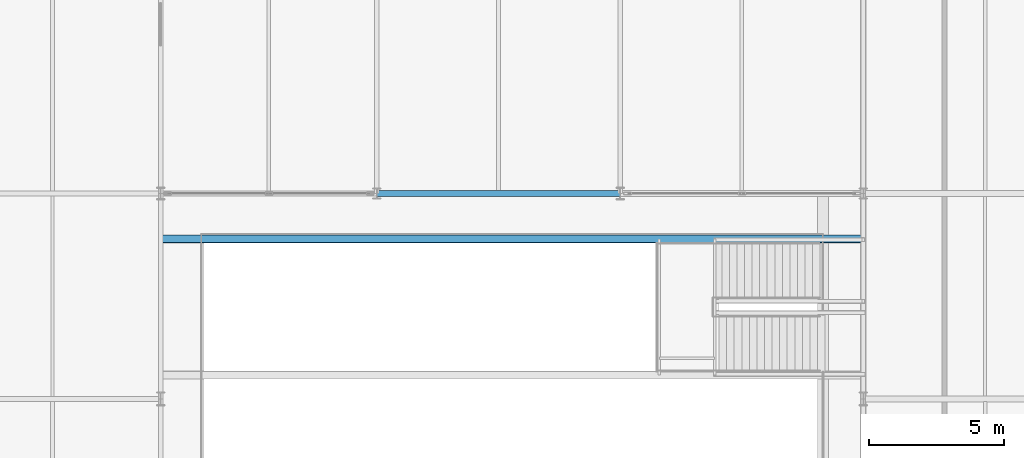
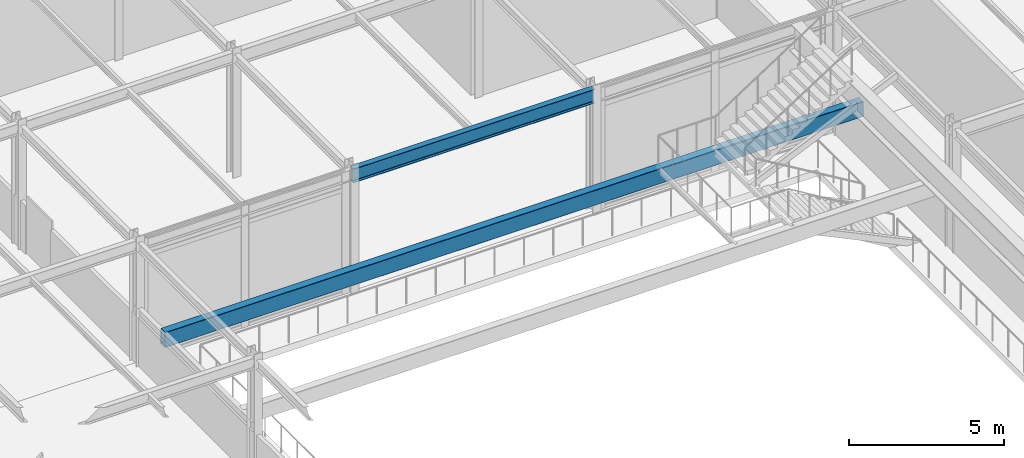
# One storey, part 35 of 113: 2 beams.
"""IFC4 building model written with IfcOpenShell, lengths in metres."""

from ifc_helpers import new_model, si_unit, direction, frame, origin, origin_2d, place, context, subcontext, project, spatial, hollow_rectangle, i_section, extrude, material, material_profile, profile_set, type_object, element, save


model = new_model("IFC4")

# Units and contexts
model_context = context("Model", 3, precision=1e-05, world=origin(), true_north=direction((0.0, 1.0)))
body_context = subcontext(model_context, "Body", "Model", "MODEL_VIEW")
ifc_project = project(units=[si_unit("LENGTHUNIT", "METRE"), si_unit("AREAUNIT", "SQUARE_METRE"), si_unit("VOLUMEUNIT", "CUBIC_METRE"), si_unit("PLANEANGLEUNIT", "RADIAN"), si_unit("MASSUNIT", "GRAM", prefix="KILO")], contexts=[model_context])

# Site, building, storey
site_placement = place(None, origin())
site = spatial("IfcSite", under=ifc_project, at=site_placement, CompositionType="ELEMENT")
building_placement = place(site_placement, origin())
building = spatial("IfcBuilding", under=site, at=building_placement, Name="Shalkamar Park Central Library", CompositionType="ELEMENT")
storey_placement = place(building_placement, frame((0.0, 0.0, 5.39990234375)))
storey = spatial("IfcBuildingStorey", under=building, at=storey_placement, Name="L02", CompositionType="ELEMENT", Elevation=5.39990234375)

# Beams
ifc_material = material(Name="Steel S355", Category="steel")
ifc_material_profile_1 = material_profile(ifc_material, hollow_rectangle(XDim=0.300048828125, YDim=0.60009765625, WallThickness=0.01611328125, InnerFilletRadius=0.01611328125, OuterFilletRadius=0.02392578125, at=origin_2d()), Name="RHS 600x300x16")
ifc_profile_set_1 = profile_set([ifc_material_profile_1], Name="Steel S355")
beam_type_1 = type_object("IfcBeamType", Name="Atrium Monumental Stringer RHS600x300", PredefinedType="BEAM", material=ifc_profile_set_1)
beam_1_placement = place(storey_placement, frame((229.0, 291.52001953125, 1.97021484375), z_axis=(1.0, 0.0, 0.0), x_axis=(0.0, 1.0, 0.0)))
element("IfcBeam", 1, at=beam_1_placement, inside=storey, type_object=beam_type_1, Name="Atrium Stair ST-A2 Carriage Girder N", PredefinedType="BEAM", context=body_context, shape_type="SweptSolid", body=[
    extrude(hollow_rectangle(XDim=0.300048828125, YDim=0.60009765625, WallThickness=0.01611328125, InnerFilletRadius=0.01611328125, OuterFilletRadius=0.02392578125, at=origin_2d()), origin(), (0.0, 0.0, 1.0), 26.0),
])
ifc_material_profile_2 = material_profile(ifc_material, i_section(OverallWidth=0.2099609375, OverallDepth=0.550048828125, WebThickness=0.010986328125, FlangeThickness=0.01708984375, FilletRadius=0.02392578125, at=origin_2d()), Name="IPE 550")
ifc_profile_set_2 = profile_set([ifc_material_profile_2], Name="Steel S355")
beam_type_2 = type_object("IfcBeamType", Name="Primary Girder IPE550", PredefinedType="BEAM", material=ifc_profile_set_2)
beam_2_placement = place(storey_placement, frame((237.0, 293.199951171875, 4.585205078125), z_axis=(1.0, 0.0, 0.0), x_axis=(0.0, 1.0, 0.0)))
element("IfcBeam", 2, at=beam_2_placement, inside=storey, type_object=beam_type_2, Name="Beam H:16-17 (L02)", PredefinedType="BEAM", context=body_context, shape_type="SweptSolid", body=[
    extrude(i_section(OverallWidth=0.2099609375, OverallDepth=0.550048828125, WebThickness=0.010986328125, FlangeThickness=0.01708984375, FilletRadius=0.02392578125, at=origin_2d()), origin(), (0.0, 0.0, 1.0), 9.0),
])

save(model, "model.ifc")
